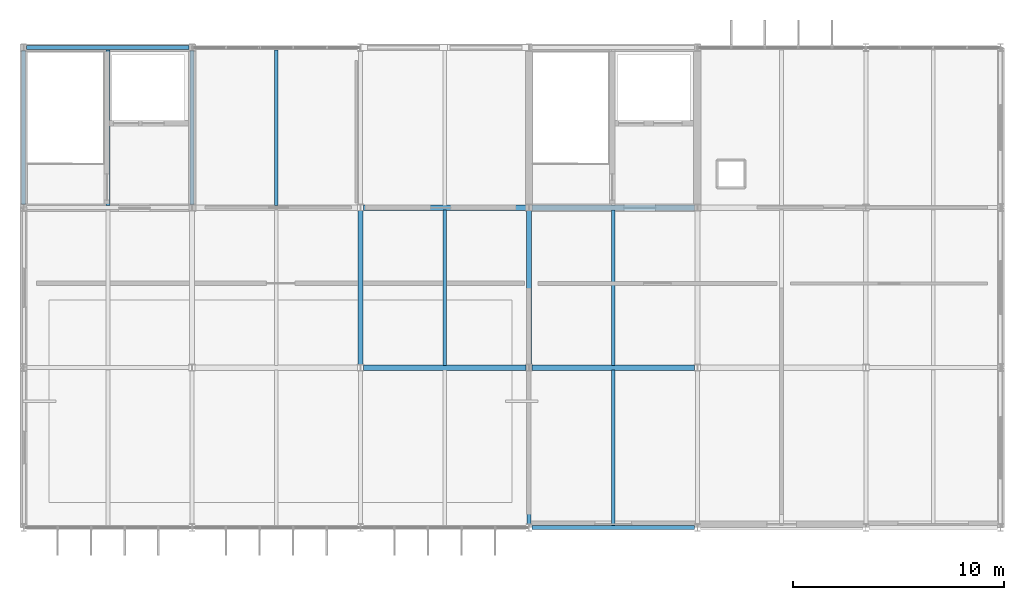
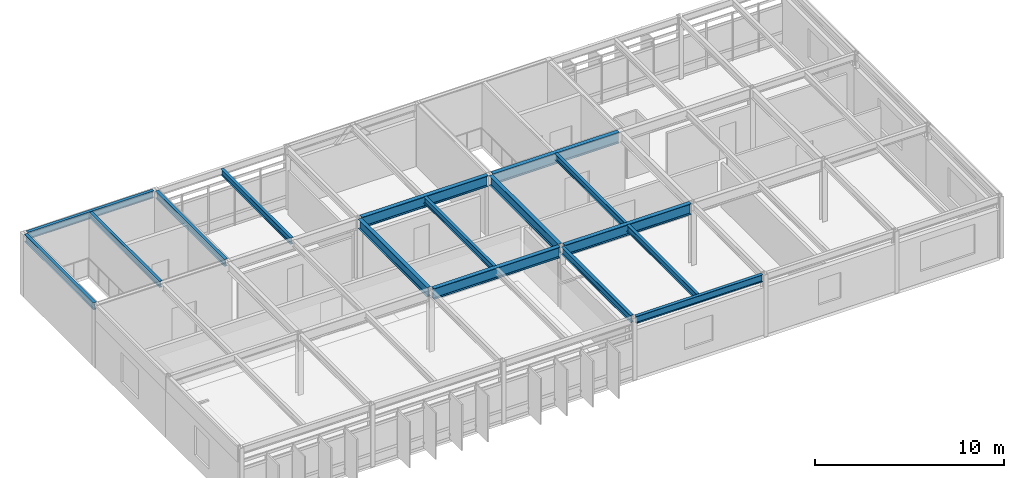
# One storey, part 7 of 17: 16 beams.
"""IFC4 building model written with IfcOpenShell, lengths in metres."""

from ifc_helpers import new_model, si_unit, direction, frame, origin, origin_2d, place, context, subcontext, project, spatial, i_section, extrude, material, material_profile, profile_set, type_object, element, save


model = new_model("IFC4")

# Units and contexts
model_context = context("Model", 3, precision=1e-05, world=origin(), true_north=direction((0.0, 1.0)))
body_context = subcontext(model_context, "Body", "Model", "MODEL_VIEW")
ifc_project = project(units=[si_unit("LENGTHUNIT", "METRE"), si_unit("AREAUNIT", "SQUARE_METRE"), si_unit("VOLUMEUNIT", "CUBIC_METRE"), si_unit("PLANEANGLEUNIT", "RADIAN"), si_unit("MASSUNIT", "GRAM", prefix="KILO")], contexts=[model_context])

# Site, building, storey
site_placement = place(None, origin())
site = spatial("IfcSite", under=ifc_project, at=site_placement, CompositionType="ELEMENT")
building_placement = place(site_placement, origin())
building = spatial("IfcBuilding", under=site, at=building_placement, Name="Zulena Civic Courthouse", CompositionType="ELEMENT")
storey_placement = place(building_placement, frame((0.0, 0.0, 42.0)))
storey = spatial("IfcBuildingStorey", under=building, at=storey_placement, Name="L09", CompositionType="ELEMENT", Elevation=42.0)

# Beams
ifc_material = material(Name="Steel ASTM A992 Grade 50", Category="steel")
ifc_material_profile_1 = material_profile(ifc_material, i_section(OverallWidth=0.22802734375, OverallDepth=0.60693359375, WebThickness=0.01123046875, FlangeThickness=0.017333984375, FilletRadius=0.0126953125, at=origin_2d()), Name="W24X76")
ifc_profile_set_1 = profile_set([ifc_material_profile_1], Name="Steel ASTM A992 Grade 50")
beam_type_1 = type_object("IfcBeamType", Name="Girder_W24X76", PredefinedType="BEAM", material=ifc_profile_set_1)
for number, where, z_axis, x_axis, name in (
    (1, (36.0, 7.7451171875, 3.69140625), (0.0, 1.0, 0.0), (-1.0, 0.0, 0.0), "beam:Y:V2:L09:36.0:7.6_15.2"),
    (2, (44.0, 7.7451171875, 3.69140625), (0.0, 1.0, 0.0), (-1.0, 0.0, 0.0), "beam:Y:V2:L09:44.0:7.6_15.2"),
):
    element("IfcBeam", number, at=place(storey_placement, frame(where, z_axis=z_axis, x_axis=x_axis)), inside=storey, type_object=beam_type_1, Name=name, PredefinedType="BEAM", context=body_context, shape_type="SweptSolid", body=[
        extrude(i_section(OverallWidth=0.22802734375, OverallDepth=0.60693359375, WebThickness=0.01123046875, FlangeThickness=0.017333984375, FilletRadius=0.0126953125, at=origin_2d()), origin(), (0.0, 0.0, 1.0), 7.309814453125),
    ])
ifc_material_profile_2 = material_profile(ifc_material, i_section(OverallWidth=0.25390625, OverallDepth=0.701904296875, WebThickness=0.015380859375, FlangeThickness=0.02783203125, FilletRadius=0.0166015625, at=origin_2d()), Name="W27X129")
ifc_profile_set_2 = profile_set([ifc_material_profile_2], Name="Steel ASTM A992 Grade 50")
beam_type_2 = type_object("IfcBeamType", Name="Girder_W27X129", PredefinedType="BEAM", material=ifc_profile_set_2)
for number, where, z_axis, x_axis, name in (
    (3, (36.14501953125, 7.60009765625, 3.64404296875), (1.0, 0.0, 0.0), (0.0, 1.0, 0.0), "beam:X:V2:L09:7.6:36.0_44.0"),
    (4, (44.14501953125, 7.60009765625, 3.64404296875), (1.0, 0.0, 0.0), (0.0, 1.0, 0.0), "beam:X:V2:L09:7.6:44.0_52.0"),
    (5, (36.14501953125, 15.199951171875, 3.64404296875), (1.0, 0.0, 0.0), (0.0, 1.0, 0.0), "beam:X:V2:L09:15.2:36.0_44.0"),
    (6, (44.14501953125, 15.199951171875, 3.64404296875), (1.0, 0.0, 0.0), (0.0, 1.0, 0.0), "beam:X:V2:L09:15.2:44.0_52.0"),
):
    element("IfcBeam", number, at=place(storey_placement, frame(where, z_axis=z_axis, x_axis=x_axis)), inside=storey, type_object=beam_type_2, Name=name, PredefinedType="BEAM", context=body_context, shape_type="SweptSolid", body=[
        extrude(i_section(OverallWidth=0.25390625, OverallDepth=0.701904296875, WebThickness=0.015380859375, FlangeThickness=0.02783203125, FilletRadius=0.0166015625, at=origin_2d()), origin(), (0.0, 0.0, 1.0), 7.7099609375),
    ])
ifc_material_profile_3 = material_profile(ifc_material, i_section(OverallWidth=0.177978515625, OverallDepth=0.406005859375, WebThickness=0.0078125, FlangeThickness=0.0126953125, FilletRadius=0.01025390625, at=origin_2d()), Name="W16X40")
ifc_profile_set_3 = profile_set([ifc_material_profile_3], Name="Steel ASTM A992 Grade 50")
beam_type_3 = type_object("IfcBeamType", Name="Joist_W16X40", PredefinedType="JOIST", material=ifc_profile_set_3)
for number, where, z_axis, x_axis, name in (
    (7, (24.0, 15.304931640625, 3.7919921875), (0.0, 1.0, 0.0), (-1.0, 0.0, 0.0), "joist:V2:L09:24.00:15.2_22.8"),
    (8, (32.0, 15.304931640625, 3.7919921875), (0.0, 1.0, 0.0), (-1.0, 0.0, 0.0), "joist:V2:L09:32.00:15.2_22.8"),
):
    element("IfcBeam", number, at=place(storey_placement, frame(where, z_axis=z_axis, x_axis=x_axis)), inside=storey, type_object=beam_type_3, Name=name, PredefinedType="JOIST", context=body_context, shape_type="SweptSolid", body=[
        extrude(i_section(OverallWidth=0.177978515625, OverallDepth=0.406005859375, WebThickness=0.0078125, FlangeThickness=0.0126953125, FilletRadius=0.01025390625, at=origin_2d()), origin(), (0.0, 0.0, 1.0), 7.39013671875),
    ])
beam_1_placement = place(storey_placement, frame((40.0, 7.705078125, 3.7919921875), z_axis=(0.0, 1.0, 0.0), x_axis=(-1.0, 0.0, 0.0)))
element("IfcBeam", 9, at=beam_1_placement, inside=storey, type_object=beam_type_3, Name="joist:V2:L09:40.00:7.6_15.2", PredefinedType="JOIST", context=body_context, shape_type="SweptSolid", body=[
    extrude(i_section(OverallWidth=0.177978515625, OverallDepth=0.406005859375, WebThickness=0.0078125, FlangeThickness=0.0126953125, FilletRadius=0.01025390625, at=origin_2d()), origin(), (0.0, 0.0, 1.0), 7.389892578125),
])
beam_2_placement = place(storey_placement, frame((48.0, 0.10498046875, 3.7919921875), z_axis=(0.0, 1.0, 0.0), x_axis=(-1.0, 0.0, 0.0)))
element("IfcBeam", 10, at=beam_2_placement, inside=storey, type_object=beam_type_3, Name="joist:V2:L09:48.00:0.0_7.6", PredefinedType="JOIST", context=body_context, shape_type="SweptSolid", body=[
    extrude(i_section(OverallWidth=0.177978515625, OverallDepth=0.406005859375, WebThickness=0.0078125, FlangeThickness=0.0126953125, FilletRadius=0.01025390625, at=origin_2d()), origin(), (0.0, 0.0, 1.0), 7.39013671875),
])
beam_3_placement = place(storey_placement, frame((48.0, 7.705078125, 3.7919921875), z_axis=(0.0, 1.0, 0.0), x_axis=(-1.0, 0.0, 0.0)))
element("IfcBeam", 11, at=beam_3_placement, inside=storey, type_object=beam_type_3, Name="joist:V2:L09:48.00:7.6_15.2", PredefinedType="JOIST", context=body_context, shape_type="SweptSolid", body=[
    extrude(i_section(OverallWidth=0.177978515625, OverallDepth=0.406005859375, WebThickness=0.0078125, FlangeThickness=0.0126953125, FilletRadius=0.01025390625, at=origin_2d()), origin(), (0.0, 0.0, 1.0), 7.389892578125),
])
ifc_material_profile_4 = material_profile(ifc_material, i_section(OverallWidth=0.19091796875, OverallDepth=0.4599609375, WebThickness=0.010009765625, FlangeThickness=0.01611328125, FilletRadius=0.01025390625, at=origin_2d()), Name="W18X55")
ifc_profile_set_4 = profile_set([ifc_material_profile_4], Name="Steel ASTM A992 Grade 50")
beam_type_4 = type_object("IfcBeamType", Name="Spandrel_W18X55", PredefinedType="SPANDREL", material=ifc_profile_set_4)
for number, where, z_axis, x_axis, name in (
    (12, (44.14501953125, 0.0, 3.764892578125), (1.0, 0.0, 0.0), (0.0, 1.0, 0.0), "beam:X:V2:L09:0.0:44.0_52.0"),
    (13, (20.14501953125, 22.800048828125, 3.764892578125), (1.0, 0.0, 0.0), (0.0, 1.0, 0.0), "beam:X:V2:L09:22.8:20.0_28.0"),
):
    element("IfcBeam", number, at=place(storey_placement, frame(where, z_axis=z_axis, x_axis=x_axis)), inside=storey, type_object=beam_type_4, Name=name, PredefinedType="SPANDREL", context=body_context, shape_type="SweptSolid", body=[
        extrude(i_section(OverallWidth=0.19091796875, OverallDepth=0.4599609375, WebThickness=0.010009765625, FlangeThickness=0.01611328125, FilletRadius=0.01025390625, at=origin_2d()), origin(), (0.0, 0.0, 1.0), 7.7099609375),
    ])
for number, where, z_axis, x_axis, name in (
    (14, (20.0, 15.344970703125, 3.764892578125), (0.0, 1.0, 0.0), (-1.0, 0.0, 0.0), "beam:Y:V2:L09:20.0:15.2_22.8"),
    (15, (28.0, 15.344970703125, 3.764892578125), (0.0, 1.0, 0.0), (-1.0, 0.0, 0.0), "beam:Y:V2:L09:28.0:15.2_22.8"),
    (16, (44.0, 0.14501953125, 3.764892578125), (0.0, 1.0, 0.0), (-1.0, 0.0, 0.0), "beam:Y:V2:L09:44.0:0.0_7.6"),
):
    element("IfcBeam", number, at=place(storey_placement, frame(where, z_axis=z_axis, x_axis=x_axis)), inside=storey, type_object=beam_type_4, Name=name, PredefinedType="SPANDREL", context=body_context, shape_type="SweptSolid", body=[
        extrude(i_section(OverallWidth=0.19091796875, OverallDepth=0.4599609375, WebThickness=0.010009765625, FlangeThickness=0.01611328125, FilletRadius=0.01025390625, at=origin_2d()), origin(), (0.0, 0.0, 1.0), 7.31005859375),
    ])

save(model, "model.ifc")
